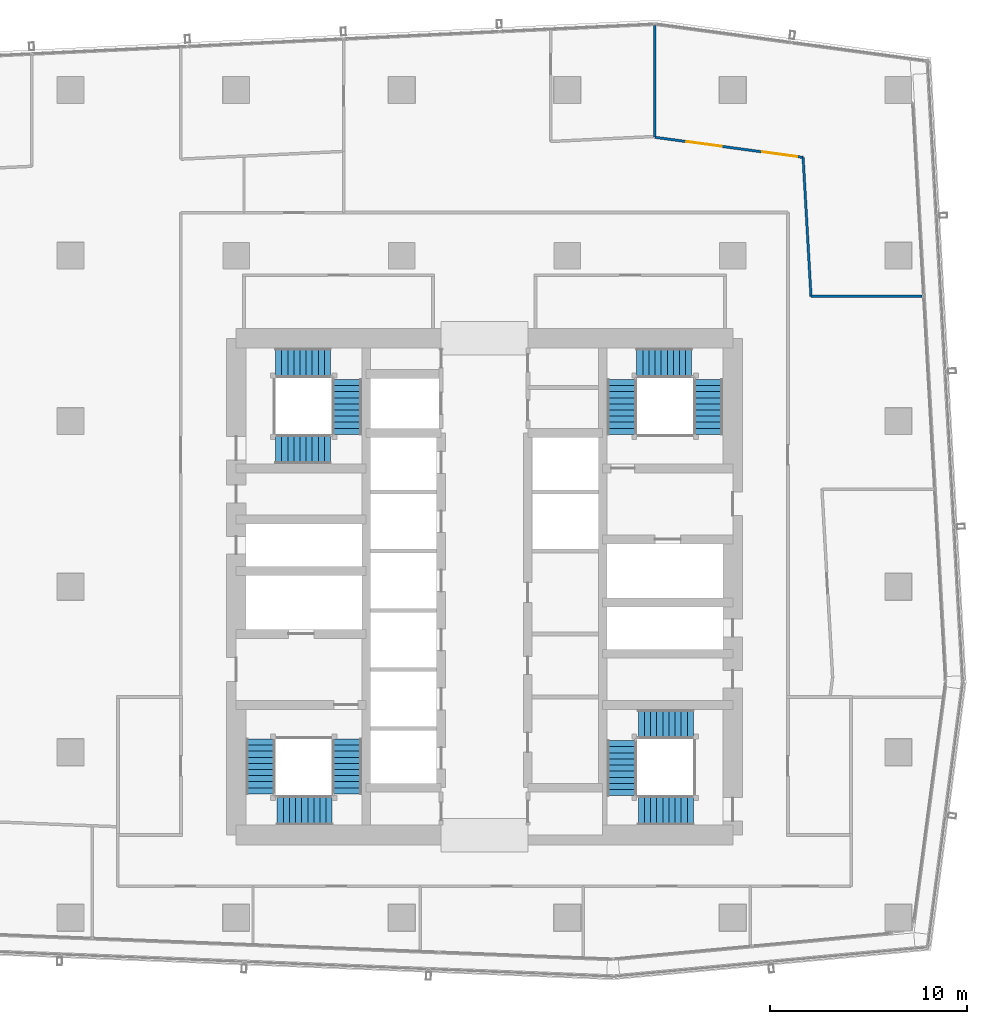
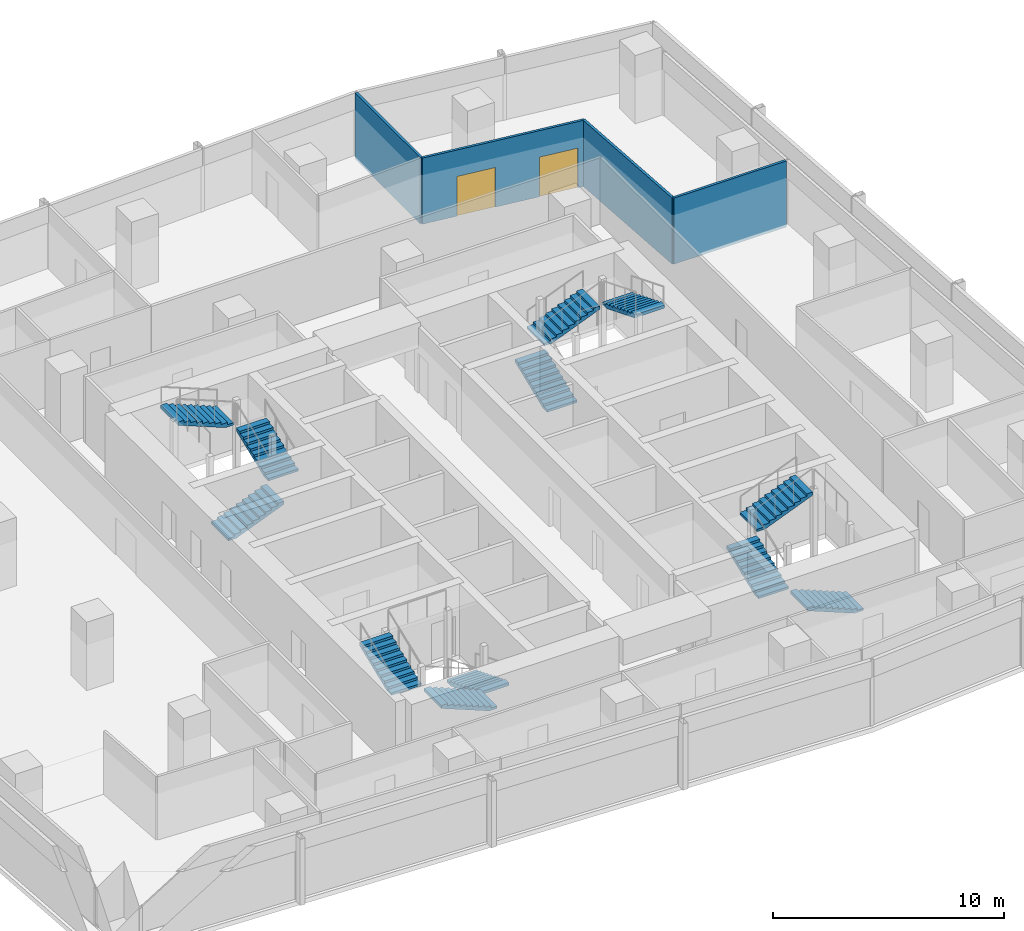
# One storey, part 30 of 40: 12 stair flights, 4 walls, 2 doors, 2 openings, 4 elements without a shape of their own.
"""IFC4 building model written with IfcOpenShell, lengths in metres."""

from ifc_helpers import new_model, si_unit, direction, frame, frame_2d, origin, place, context, subcontext, project, spatial, polyline, rectangle, outline, extrude, material, layer, layer_set, type_object, element, fill, aggregate, save


model = new_model("IFC4")

# Units and contexts
model_context = context("Model", 3, precision=1e-05, world=origin(), true_north=direction((0.0, 1.0)))
body_context = subcontext(model_context, "Body", "Model", "MODEL_VIEW")
ifc_project = project(units=[si_unit("LENGTHUNIT", "METRE"), si_unit("AREAUNIT", "SQUARE_METRE"), si_unit("VOLUMEUNIT", "CUBIC_METRE"), si_unit("PLANEANGLEUNIT", "RADIAN"), si_unit("MASSUNIT", "GRAM", prefix="KILO")], contexts=[model_context])

# Site, building, storey
site_placement = place(None, origin())
site = spatial("IfcSite", under=ifc_project, at=site_placement, CompositionType="ELEMENT")
building_placement = place(site_placement, origin())
building = spatial("IfcBuilding", under=site, at=building_placement, Name="Rekha Terrace Tower", CompositionType="ELEMENT")
storey_placement = place(building_placement, frame((0.0, 0.0, 213.949951171875)))
storey = spatial("IfcBuildingStorey", under=building, at=storey_placement, Name="L54", CompositionType="ELEMENT", Elevation=213.949951171875)

# Walls
ifc_material_1 = material(Name="Two layers of fire-rated gypsum board each side on steel studs, acoustic quilt, 1 hour", Category="steel")
ifc_layer = layer(ifc_material_1, 0.125)
ifc_layer_set = layer_set([ifc_layer], Name="Two layers of fire-rated gypsum board each side on steel studs, acoustic quilt, 1 hour")
wall_type = type_object("IfcWallType", Name="WP3 125 office partition", PredefinedType="PARTITIONING", material=ifc_layer_set)
wall_1_placement = place(storey_placement, frame((59.99609375, 48.33203125, 0.0), z_axis=(0.0, 0.0, 1.0), x_axis=(-1.0, 0.0, 0.0)))
element("IfcWall", 1, at=wall_1_placement, inside=storey, type_object=wall_type, Name="Partition L54-06", PredefinedType="PARTITIONING", context=body_context, shape_type="SweptSolid", body=[
    extrude(rectangle(XDim=5.629150390625, YDim=0.125, at=frame_2d((2.814453125, 0.0))), origin(), (0.0, 0.0, 1.0), 3.5),
])
wall_2_placement = place(storey_placement, frame((54.366943359375, 48.33203125, 0.0), z_axis=(0.0, 0.0, 1.0), x_axis=(-0.056665560921, 0.998393216226, 0.0)))
element("IfcWall", 2, at=wall_2_placement, inside=storey, type_object=wall_type, Name="Partition L54-06", PredefinedType="PARTITIONING", context=body_context, shape_type="SweptSolid", body=[
    extrude(rectangle(XDim=7.05712890625, YDim=0.125, at=frame_2d((3.528564453125, 0.0))), origin(), (0.0, 0.0, 1.0), 3.5),
])

# Wall, openings, doors
wall_3_placement = place(storey_placement, frame((53.967041015625, 55.3779296875, 0.0), z_axis=(0.0, 0.0, 1.0), x_axis=(-0.990876693027, 0.134771581633, 0.0)))
wall_3 = element("IfcWall", 3, at=wall_3_placement, inside=storey, type_object=wall_type, Name="Partition L54-06", PredefinedType="PARTITIONING", context=body_context, shape_type="SweptSolid", body=[
    extrude(rectangle(XDim=7.59033203125, YDim=0.125, at=frame_2d((3.795166015625, 0.0))), origin(), (0.0, 0.0, 1.0), 3.5),
])
opening_1_placement = place(wall_3_placement, frame((4.1689453125, 0.0, 0.0)))
opening_1 = element("IfcOpeningElement", 4, at=opening_1_placement, cuts=wall_3, Name="Opening D8", PredefinedType="OPENING", context=body_context, shape_type="SweptSolid", body=[
    extrude(rectangle(XDim=1.800048828125, YDim=2.10009765625, at=frame_2d((0.89990234375, 1.050048828125))), frame((0.0, 0.072509765625, 0.0), z_axis=(0.0, -1.0, 0.0), x_axis=(1.0, 0.0, 0.0)), (0.0, 0.0, 1.0), 0.14501953125),
])
opening_2_placement = place(wall_3_placement, frame((0.2958984375, 0.0, 0.0)))
opening_2 = element("IfcOpeningElement", 5, at=opening_2_placement, cuts=wall_3, Name="Opening D8", PredefinedType="OPENING", context=body_context, shape_type="SweptSolid", body=[
    extrude(rectangle(XDim=1.800048828125, YDim=2.10009765625, at=frame_2d((0.89990234375, 1.050048828125))), frame((0.0, 0.072509765625, 0.0), z_axis=(0.0, -1.0, 0.0), x_axis=(1.0, 0.0, 0.0)), (0.0, 0.0, 1.0), 0.14501953125),
])
ifc_material_2 = material(Name="Timber fire door", Category="wood")
door_type = type_object("IfcDoorType", Name="D8 1800x2100 double leaf door", OperationType="DOUBLE_DOOR_SINGLE_SWING", PredefinedType="DOOR", material=ifc_material_2)
door_1_placement = place(opening_1_placement, origin())
door_1 = element("IfcDoor", 6, at=door_1_placement, inside=storey, type_object=door_type, Name="Door board meeting room L54", OperationType="DOUBLE_DOOR_SINGLE_SWING", OverallHeight=2.10009765625, OverallWidth=1.800048828125, PredefinedType="DOOR", context=body_context, shape_type="SweptSolid", body=[
    extrude(rectangle(XDim=1.800048828125, YDim=2.10009765625, at=frame_2d((0.89990234375, 1.050048828125))), frame((0.0, 0.02490234375, 0.0), z_axis=(0.0, -1.0, 0.0), x_axis=(1.0, 0.0, 0.0)), (0.0, 0.0, 1.0), 0.050048828125),
])
fill(opening_1, door_1)
door_2_placement = place(opening_2_placement, origin())
door_2 = element("IfcDoor", 7, at=door_2_placement, inside=storey, type_object=door_type, Name="Door board meeting room L54", OperationType="DOUBLE_DOOR_SINGLE_SWING", OverallHeight=2.10009765625, OverallWidth=1.800048828125, PredefinedType="DOOR", context=body_context, shape_type="SweptSolid", body=[
    extrude(rectangle(XDim=1.800048828125, YDim=2.10009765625, at=frame_2d((0.89990234375, 1.050048828125))), frame((0.0, 0.02490234375, 0.0), z_axis=(0.0, -1.0, 0.0), x_axis=(1.0, 0.0, 0.0)), (0.0, 0.0, 1.0), 0.050048828125),
])
fill(opening_2, door_2)

# Wall
wall_4_placement = place(storey_placement, frame((46.445068359375, 56.419921875, 0.0), z_axis=(0.0, 0.0, 1.0), x_axis=(0.0, 1.0, 0.0)))
element("IfcWall", 8, at=wall_4_placement, inside=storey, type_object=wall_type, Name="Partition L54-06", PredefinedType="PARTITIONING", context=body_context, shape_type="SweptSolid", body=[
    extrude(rectangle(XDim=5.64697265625, YDim=0.125, at=frame_2d((2.823486328125, 0.0))), origin(), (0.0, 0.0, 1.0), 3.5),
])

# Stair, stair flights
ifc_material_3 = material(Name="Concrete M40", Category="concrete")
stair_type = type_object("IfcStairType", Name="ST30 stair, 30 risers of 125, going 310, 1500 wide flights, 3 flights", PredefinedType="HALF_TURN_STAIR", material=ifc_material_3)
stair_1_placement = place(storey_placement, origin())
stair_1 = element("IfcStair", 9, at=stair_1_placement, inside=storey, type_object=stair_type, Name="Stair ST1 L54 to L55", PredefinedType="HALF_TURN_STAIR")
stair_flight_type = type_object("IfcStairFlightType", Name="SF10 stair flight, 10 risers of 125, going 310, 1500 wide", PredefinedType="STRAIGHT", material=ifc_material_3)
stair_flight_1_placement = place(storey_placement, frame((30.824951171875, 25.875, 0.0), z_axis=(0.0, 0.0, 1.0), x_axis=(0.0, -1.0, 0.0)))
stair_flight_1 = element("IfcStairFlight", 10, at=stair_flight_1_placement, type_object=stair_flight_type, Name="ST1 flight 1", NumberOfRisers=10, NumberOfTreads=9, PredefinedType="STRAIGHT", RiserHeight=0.125, TreadLength=0.31, context=body_context, shape_type="SweptSolid", body=[
    extrude(outline(polyline([(0.0, 0.0), (0.0, 0.125), (0.31005859375, 0.125), (0.31005859375, 0.25), (0.6201171875, 0.25), (0.6201171875, 0.375), (0.929931640625, 0.375), (0.929931640625, 0.5), (1.239990234375, 0.5), (1.239990234375, 0.625), (1.550048828125, 0.625), (1.550048828125, 0.75), (1.860107421875, 0.75), (1.860107421875, 0.875), (2.169921875, 0.875), (2.169921875, 1.0), (2.47998046875, 1.0), (2.47998046875, 1.125), (2.7900390625, 1.125), (2.7900390625, 1.25), (2.7900390625, 0.96337890625), (0.40087890625, 0.0), (0.0, 0.0)])), frame((0.0, 0.75, 0.0), z_axis=(0.0, -1.0, 0.0), x_axis=(1.0, 0.0, 0.0)), (0.0, 0.0, 1.0), 1.5),
])
stair_flight_2_placement = place(storey_placement, frame((30.074951171875, 22.25, 1.25), z_axis=(0.0, 0.0, 1.0), x_axis=(-1.0, 0.0, 0.0)))
stair_flight_2 = element("IfcStairFlight", 11, at=stair_flight_2_placement, type_object=stair_flight_type, Name="ST1 flight 2", NumberOfRisers=10, NumberOfTreads=9, PredefinedType="STRAIGHT", RiserHeight=0.125, TreadLength=0.31, context=body_context, shape_type="SweptSolid", body=[
    extrude(outline(polyline([(0.0, 0.0), (0.0, 0.125), (0.31005859375, 0.125), (0.31005859375, 0.25), (0.6201171875, 0.25), (0.6201171875, 0.375), (0.929931640625, 0.375), (0.929931640625, 0.5), (1.239990234375, 0.5), (1.239990234375, 0.625), (1.550048828125, 0.625), (1.550048828125, 0.75), (1.860107421875, 0.75), (1.860107421875, 0.875), (2.169921875, 0.875), (2.169921875, 1.0), (2.47998046875, 1.0), (2.47998046875, 1.125), (2.7900390625, 1.125), (2.7900390625, 1.25), (2.7900390625, 0.96337890625), (0.40087890625, 0.0), (0.0, 0.0)])), frame((0.0, 0.75, 0.0), z_axis=(0.0, -1.0, 0.0), x_axis=(1.0, 0.0, 0.0)), (0.0, 0.0, 1.0), 1.5),
])
stair_flight_3_placement = place(storey_placement, frame((26.449951171875, 23.0849609375, 2.5), z_axis=(0.0, 0.0, 1.0), x_axis=(0.0, 1.0, 0.0)))
stair_flight_3 = element("IfcStairFlight", 12, at=stair_flight_3_placement, type_object=stair_flight_type, Name="ST1 flight 3", NumberOfRisers=10, NumberOfTreads=9, PredefinedType="STRAIGHT", RiserHeight=0.125, TreadLength=0.31, context=body_context, shape_type="SweptSolid", body=[
    extrude(outline(polyline([(0.0, 0.0), (0.0, 0.125), (0.31005859375, 0.125), (0.31005859375, 0.25), (0.6201171875, 0.25), (0.6201171875, 0.375), (0.929931640625, 0.375), (0.929931640625, 0.5), (1.239990234375, 0.5), (1.239990234375, 0.625), (1.550048828125, 0.625), (1.550048828125, 0.75), (1.860107421875, 0.75), (1.860107421875, 0.875), (2.169921875, 0.875), (2.169921875, 1.0), (2.47998046875, 1.0), (2.47998046875, 1.125), (2.7900390625, 1.125), (2.7900390625, 1.25), (2.7900390625, 0.96337890625), (0.40087890625, 0.0), (0.0, 0.0)])), frame((0.0, 0.75, 0.0), z_axis=(0.0, -1.0, 0.0), x_axis=(1.0, 0.0, 0.0)), (0.0, 0.0, 1.0), 1.5),
])
aggregate(stair_1, [stair_flight_1, stair_flight_2, stair_flight_3])

stair_2_placement = place(storey_placement, origin())
stair_2 = element("IfcStair", 13, at=stair_2_placement, inside=storey, type_object=stair_type, Name="Stair ST2 L54 to L55", PredefinedType="HALF_TURN_STAIR")
stair_flight_4_placement = place(storey_placement, frame((44.77490234375, 41.324951171875, 0.0), z_axis=(0.0, 0.0, 1.0), x_axis=(0.0, 1.0, 0.0)))
stair_flight_4 = element("IfcStairFlight", 14, at=stair_flight_4_placement, type_object=stair_flight_type, Name="ST2 flight 1", NumberOfRisers=10, NumberOfTreads=9, PredefinedType="STRAIGHT", RiserHeight=0.125, TreadLength=0.31, context=body_context, shape_type="SweptSolid", body=[
    extrude(outline(polyline([(0.0, 0.0), (0.0, 0.125), (0.31005859375, 0.125), (0.31005859375, 0.25), (0.6201171875, 0.25), (0.6201171875, 0.375), (0.929931640625, 0.375), (0.929931640625, 0.5), (1.239990234375, 0.5), (1.239990234375, 0.625), (1.550048828125, 0.625), (1.550048828125, 0.75), (1.860107421875, 0.75), (1.860107421875, 0.875), (2.169921875, 0.875), (2.169921875, 1.0), (2.47998046875, 1.0), (2.47998046875, 1.125), (2.7900390625, 1.125), (2.7900390625, 1.25), (2.7900390625, 0.96337890625), (0.40087890625, 0.0), (0.0, 0.0)])), frame((0.0, 0.75, 0.0), z_axis=(0.0, -1.0, 0.0), x_axis=(1.0, 0.0, 0.0)), (0.0, 0.0, 1.0), 1.5),
])
stair_flight_5_placement = place(storey_placement, frame((45.52490234375, 44.949951171875, 1.25), z_axis=(0.0, 0.0, 1.0), x_axis=(1.0, 0.0, 0.0)))
stair_flight_5 = element("IfcStairFlight", 15, at=stair_flight_5_placement, type_object=stair_flight_type, Name="ST2 flight 2", NumberOfRisers=10, NumberOfTreads=9, PredefinedType="STRAIGHT", RiserHeight=0.125, TreadLength=0.31, context=body_context, shape_type="SweptSolid", body=[
    extrude(outline(polyline([(0.0, 0.0), (0.0, 0.125), (0.31005859375, 0.125), (0.31005859375, 0.25), (0.6201171875, 0.25), (0.6201171875, 0.375), (0.929931640625, 0.375), (0.929931640625, 0.5), (1.239990234375, 0.5), (1.239990234375, 0.625), (1.550048828125, 0.625), (1.550048828125, 0.75), (1.860107421875, 0.75), (1.860107421875, 0.875), (2.169921875, 0.875), (2.169921875, 1.0), (2.47998046875, 1.0), (2.47998046875, 1.125), (2.7900390625, 1.125), (2.7900390625, 1.25), (2.7900390625, 0.96337890625), (0.40087890625, 0.0), (0.0, 0.0)])), frame((0.0, 0.75, 0.0), z_axis=(0.0, -1.0, 0.0), x_axis=(1.0, 0.0, 0.0)), (0.0, 0.0, 1.0), 1.5),
])
stair_flight_6_placement = place(storey_placement, frame((49.14990234375, 44.114990234375, 2.5), z_axis=(0.0, 0.0, 1.0), x_axis=(0.0, -1.0, 0.0)))
stair_flight_6 = element("IfcStairFlight", 16, at=stair_flight_6_placement, type_object=stair_flight_type, Name="ST2 flight 3", NumberOfRisers=10, NumberOfTreads=9, PredefinedType="STRAIGHT", RiserHeight=0.125, TreadLength=0.31, context=body_context, shape_type="SweptSolid", body=[
    extrude(outline(polyline([(0.0, 0.0), (0.0, 0.125), (0.31005859375, 0.125), (0.31005859375, 0.25), (0.6201171875, 0.25), (0.6201171875, 0.375), (0.929931640625, 0.375), (0.929931640625, 0.5), (1.239990234375, 0.5), (1.239990234375, 0.625), (1.550048828125, 0.625), (1.550048828125, 0.75), (1.860107421875, 0.75), (1.860107421875, 0.875), (2.169921875, 0.875), (2.169921875, 1.0), (2.47998046875, 1.0), (2.47998046875, 1.125), (2.7900390625, 1.125), (2.7900390625, 1.25), (2.7900390625, 0.96337890625), (0.40087890625, 0.0), (0.0, 0.0)])), frame((0.0, 0.75, 0.0), z_axis=(0.0, -1.0, 0.0), x_axis=(1.0, 0.0, 0.0)), (0.0, 0.0, 1.0), 1.5),
])
aggregate(stair_2, [stair_flight_4, stair_flight_5, stair_flight_6])

stair_3_placement = place(storey_placement, origin())
stair_3 = element("IfcStair", 17, at=stair_3_placement, inside=storey, type_object=stair_type, Name="Stair ST3 L54 to L55", PredefinedType="HALF_TURN_STAIR")
stair_flight_7_placement = place(storey_placement, frame((48.39990234375, 22.25, 0.0), z_axis=(0.0, 0.0, 1.0), x_axis=(-1.0, 0.0, 0.0)))
stair_flight_7 = element("IfcStairFlight", 18, at=stair_flight_7_placement, type_object=stair_flight_type, Name="ST3 flight 1", NumberOfRisers=10, NumberOfTreads=9, PredefinedType="STRAIGHT", RiserHeight=0.125, TreadLength=0.31, context=body_context, shape_type="SweptSolid", body=[
    extrude(outline(polyline([(0.0, 0.0), (0.0, 0.125), (0.31005859375, 0.125), (0.31005859375, 0.25), (0.6201171875, 0.25), (0.6201171875, 0.375), (0.929931640625, 0.375), (0.929931640625, 0.5), (1.239990234375, 0.5), (1.239990234375, 0.625), (1.550048828125, 0.625), (1.550048828125, 0.75), (1.860107421875, 0.75), (1.860107421875, 0.875), (2.169921875, 0.875), (2.169921875, 1.0), (2.47998046875, 1.0), (2.47998046875, 1.125), (2.7900390625, 1.125), (2.7900390625, 1.25), (2.7900390625, 0.96337890625), (0.40087890625, 0.0), (0.0, 0.0)])), frame((0.0, 0.75, 0.0), z_axis=(0.0, -1.0, 0.0), x_axis=(1.0, 0.0, 0.0)), (0.0, 0.0, 1.0), 1.5),
])
stair_flight_8_placement = place(storey_placement, frame((44.77490234375, 23.0, 1.25), z_axis=(0.0, 0.0, 1.0), x_axis=(0.0, 1.0, 0.0)))
stair_flight_8 = element("IfcStairFlight", 19, at=stair_flight_8_placement, type_object=stair_flight_type, Name="ST3 flight 2", NumberOfRisers=10, NumberOfTreads=9, PredefinedType="STRAIGHT", RiserHeight=0.125, TreadLength=0.31, context=body_context, shape_type="SweptSolid", body=[
    extrude(outline(polyline([(0.0, 0.0), (0.0, 0.125), (0.31005859375, 0.125), (0.31005859375, 0.25), (0.6201171875, 0.25), (0.6201171875, 0.375), (0.929931640625, 0.375), (0.929931640625, 0.5), (1.239990234375, 0.5), (1.239990234375, 0.625), (1.550048828125, 0.625), (1.550048828125, 0.75), (1.860107421875, 0.75), (1.860107421875, 0.875), (2.169921875, 0.875), (2.169921875, 1.0), (2.47998046875, 1.0), (2.47998046875, 1.125), (2.7900390625, 1.125), (2.7900390625, 1.25), (2.7900390625, 0.96337890625), (0.40087890625, 0.0), (0.0, 0.0)])), frame((0.0, 0.75, 0.0), z_axis=(0.0, -1.0, 0.0), x_axis=(1.0, 0.0, 0.0)), (0.0, 0.0, 1.0), 1.5),
])
stair_flight_9_placement = place(storey_placement, frame((45.610107421875, 26.625, 2.5), z_axis=(0.0, 0.0, 1.0), x_axis=(1.0, 0.0, 0.0)))
stair_flight_9 = element("IfcStairFlight", 20, at=stair_flight_9_placement, type_object=stair_flight_type, Name="ST3 flight 3", NumberOfRisers=10, NumberOfTreads=9, PredefinedType="STRAIGHT", RiserHeight=0.125, TreadLength=0.31, context=body_context, shape_type="SweptSolid", body=[
    extrude(outline(polyline([(0.0, 0.0), (0.0, 0.125), (0.31005859375, 0.125), (0.31005859375, 0.25), (0.6201171875, 0.25), (0.6201171875, 0.375), (0.929931640625, 0.375), (0.929931640625, 0.5), (1.239990234375, 0.5), (1.239990234375, 0.625), (1.550048828125, 0.625), (1.550048828125, 0.75), (1.860107421875, 0.75), (1.860107421875, 0.875), (2.169921875, 0.875), (2.169921875, 1.0), (2.47998046875, 1.0), (2.47998046875, 1.125), (2.7900390625, 1.125), (2.7900390625, 1.25), (2.7900390625, 0.96337890625), (0.40087890625, 0.0), (0.0, 0.0)])), frame((0.0, 0.75, 0.0), z_axis=(0.0, -1.0, 0.0), x_axis=(1.0, 0.0, 0.0)), (0.0, 0.0, 1.0), 1.5),
])
aggregate(stair_3, [stair_flight_7, stair_flight_8, stair_flight_9])

stair_4_placement = place(storey_placement, origin())
stair_4 = element("IfcStair", 21, at=stair_4_placement, inside=storey, type_object=stair_type, Name="Stair ST4 L54 to L55", PredefinedType="HALF_TURN_STAIR")
stair_flight_10_placement = place(storey_placement, frame((27.199951171875, 40.574951171875, 0.0), z_axis=(0.0, 0.0, 1.0), x_axis=(1.0, 0.0, 0.0)))
stair_flight_10 = element("IfcStairFlight", 22, at=stair_flight_10_placement, type_object=stair_flight_type, Name="ST4 flight 1", NumberOfRisers=10, NumberOfTreads=9, PredefinedType="STRAIGHT", RiserHeight=0.125, TreadLength=0.31, context=body_context, shape_type="SweptSolid", body=[
    extrude(outline(polyline([(0.0, 0.0), (0.0, 0.125), (0.31005859375, 0.125), (0.31005859375, 0.25), (0.6201171875, 0.25), (0.6201171875, 0.375), (0.929931640625, 0.375), (0.929931640625, 0.5), (1.239990234375, 0.5), (1.239990234375, 0.625), (1.550048828125, 0.625), (1.550048828125, 0.75), (1.860107421875, 0.75), (1.860107421875, 0.875), (2.169921875, 0.875), (2.169921875, 1.0), (2.47998046875, 1.0), (2.47998046875, 1.125), (2.7900390625, 1.125), (2.7900390625, 1.25), (2.7900390625, 0.96337890625), (0.40087890625, 0.0), (0.0, 0.0)])), frame((0.0, 0.75, 0.0), z_axis=(0.0, -1.0, 0.0), x_axis=(1.0, 0.0, 0.0)), (0.0, 0.0, 1.0), 1.5),
])
stair_flight_11_placement = place(storey_placement, frame((30.824951171875, 41.324951171875, 1.25), z_axis=(0.0, 0.0, 1.0), x_axis=(0.0, 1.0, 0.0)))
stair_flight_11 = element("IfcStairFlight", 23, at=stair_flight_11_placement, type_object=stair_flight_type, Name="ST4 flight 2", NumberOfRisers=10, NumberOfTreads=9, PredefinedType="STRAIGHT", RiserHeight=0.125, TreadLength=0.31, context=body_context, shape_type="SweptSolid", body=[
    extrude(outline(polyline([(0.0, 0.0), (0.0, 0.125), (0.31005859375, 0.125), (0.31005859375, 0.25), (0.6201171875, 0.25), (0.6201171875, 0.375), (0.929931640625, 0.375), (0.929931640625, 0.5), (1.239990234375, 0.5), (1.239990234375, 0.625), (1.550048828125, 0.625), (1.550048828125, 0.75), (1.860107421875, 0.75), (1.860107421875, 0.875), (2.169921875, 0.875), (2.169921875, 1.0), (2.47998046875, 1.0), (2.47998046875, 1.125), (2.7900390625, 1.125), (2.7900390625, 1.25), (2.7900390625, 0.96337890625), (0.40087890625, 0.0), (0.0, 0.0)])), frame((0.0, 0.75, 0.0), z_axis=(0.0, -1.0, 0.0), x_axis=(1.0, 0.0, 0.0)), (0.0, 0.0, 1.0), 1.5),
])
stair_flight_12_placement = place(storey_placement, frame((29.989990234375, 44.949951171875, 2.5), z_axis=(0.0, 0.0, 1.0), x_axis=(-1.0, 0.0, 0.0)))
stair_flight_12 = element("IfcStairFlight", 24, at=stair_flight_12_placement, type_object=stair_flight_type, Name="ST4 flight 3", NumberOfRisers=10, NumberOfTreads=9, PredefinedType="STRAIGHT", RiserHeight=0.125, TreadLength=0.31, context=body_context, shape_type="SweptSolid", body=[
    extrude(outline(polyline([(0.0, 0.0), (0.0, 0.125), (0.31005859375, 0.125), (0.31005859375, 0.25), (0.6201171875, 0.25), (0.6201171875, 0.375), (0.929931640625, 0.375), (0.929931640625, 0.5), (1.239990234375, 0.5), (1.239990234375, 0.625), (1.550048828125, 0.625), (1.550048828125, 0.75), (1.860107421875, 0.75), (1.860107421875, 0.875), (2.169921875, 0.875), (2.169921875, 1.0), (2.47998046875, 1.0), (2.47998046875, 1.125), (2.7900390625, 1.125), (2.7900390625, 1.25), (2.7900390625, 0.96337890625), (0.40087890625, 0.0), (0.0, 0.0)])), frame((0.0, 0.75, 0.0), z_axis=(0.0, -1.0, 0.0), x_axis=(1.0, 0.0, 0.0)), (0.0, 0.0, 1.0), 1.5),
])
aggregate(stair_4, [stair_flight_10, stair_flight_11, stair_flight_12])

save(model, "model.ifc")
